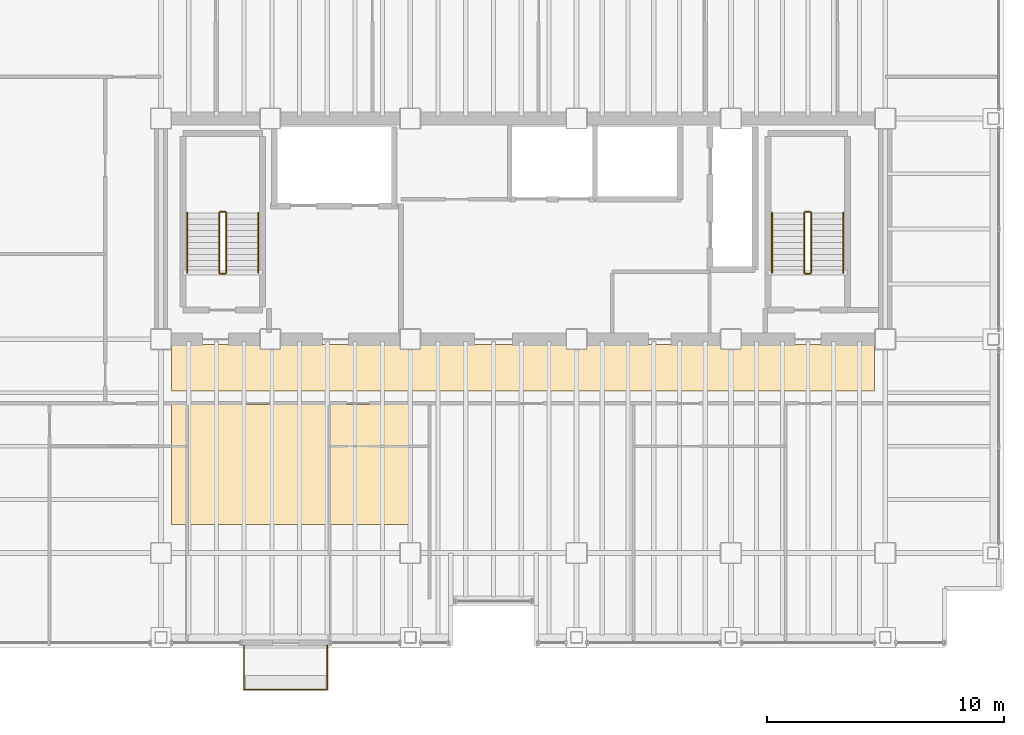
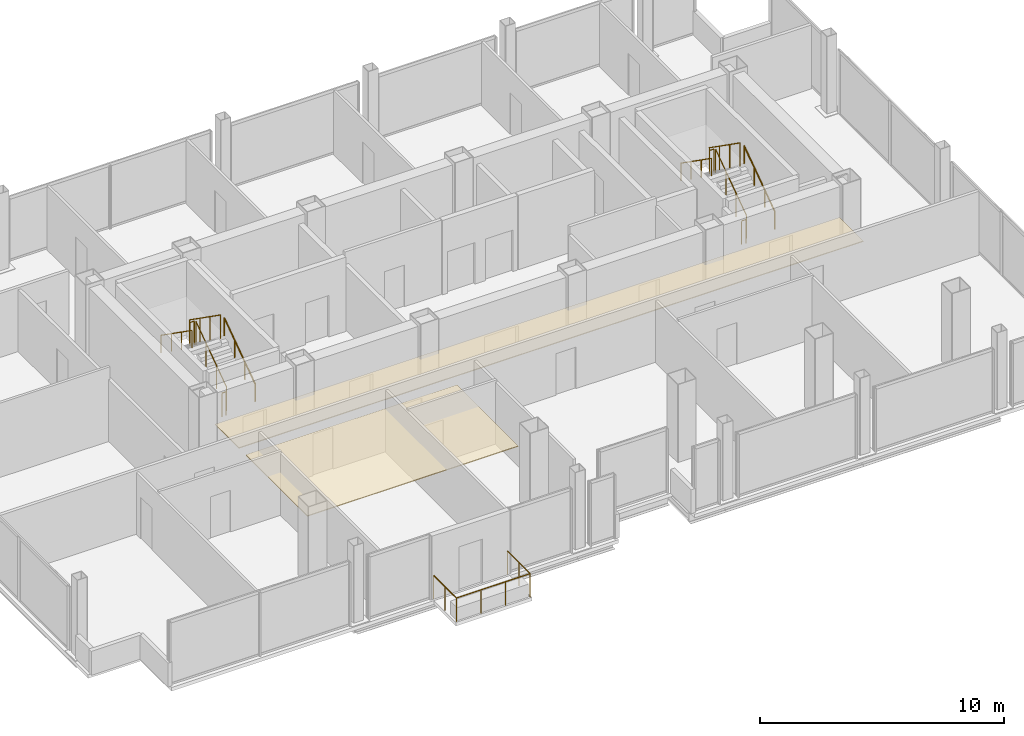
# One storey, part 19 of 19: 13 railings, 2 coverings.
"""IFC4 building model written with IfcOpenShell, lengths in metres."""

from ifc_helpers import new_model, si_unit, direction, frame, origin, origin_2d, place, context, subcontext, project, spatial, polyline, circle, outline, extrude, material, layer, layer_set, type_object, element, save


model = new_model("IFC4")

# Units and contexts
model_context = context("Model", 3, precision=1e-05, world=origin(), true_north=direction((0.0, 1.0)))
body_context = subcontext(model_context, "Body", "Model", "MODEL_VIEW")
ifc_project = project(units=[si_unit("LENGTHUNIT", "METRE"), si_unit("AREAUNIT", "SQUARE_METRE"), si_unit("VOLUMEUNIT", "CUBIC_METRE"), si_unit("PLANEANGLEUNIT", "RADIAN"), si_unit("MASSUNIT", "GRAM", prefix="KILO")], contexts=[model_context])

# Site, building, storey
site_placement = place(None, origin())
site = spatial("IfcSite", under=ifc_project, at=site_placement, CompositionType="ELEMENT")
building_placement = place(site_placement, origin())
building = spatial("IfcBuilding", under=site, at=building_placement, Name="Noeulbin Bourse Tower", CompositionType="ELEMENT")
storey_placement = place(building_placement, frame((0.0, 0.0, 153.89990234375)))
storey = spatial("IfcBuildingStorey", under=building, at=storey_placement, Name="L38", CompositionType="ELEMENT", Elevation=153.89990234375)

# Coverings
ifc_material_1 = material(Name="Perforated Mineral-Fibre Acoustic Tile")
ifc_layer_1 = layer(ifc_material_1, 0.0400390625)
ifc_layer_set_1 = layer_set([ifc_layer_1], Name="Perforated Mineral-Fibre Acoustic Tile")
covering_type = type_object("IfcCoveringType", Name="COV-CEIL-ACT", PredefinedType="CEILING", material=ifc_layer_set_1)
covering_1_placement = place(storey_placement, frame((0.0, 0.0, 2.110107421875)))
element("IfcCovering", 1, at=covering_1_placement, inside=storey, type_object=covering_type, Name="Corridor Suspended Ceiling L38", PredefinedType="CEILING", context=body_context, shape_type="SweptSolid", body=[
    extrude(outline(polyline([(13.949951171875, 26.820068359375), (43.550048828125, 26.820068359375), (43.550048828125, 28.780029296875), (13.949951171875, 28.780029296875), (13.949951171875, 26.820068359375)])), origin(), (0.0, 0.0, 1.0), 0.0400390625),
])
covering_2_placement = place(storey_placement, frame((0.0, 0.0, 2.110107421875)))
element("IfcCovering", 2, at=covering_2_placement, inside=storey, type_object=covering_type, Name="Trading Suite Acoustic Ceiling L38", PredefinedType="CEILING", context=body_context, shape_type="SweptSolid", body=[
    extrude(outline(polyline([(13.949951171875, 21.199951171875), (23.949951171875, 21.199951171875), (23.949951171875, 26.25), (13.949951171875, 26.25), (13.949951171875, 21.199951171875)])), origin(), (0.0, 0.0, 1.0), 0.0400390625),
])

# Railings
ifc_material_2 = material(Name="Laminated SentryGlas and Stainless Steel 316", Category="steel")
ifc_layer_2 = layer(ifc_material_2, 0.06005859375)
ifc_layer_set_2 = layer_set([ifc_layer_2], Name="Laminated SentryGlas and Stainless Steel 316")
railing_type_1 = type_object("IfcRailingType", Name="RLG-BAL-1200", PredefinedType="BALUSTRADE", material=ifc_layer_set_2)
railing_1_placement = place(storey_placement, frame((17.0, 16.1201171875, 0.0)))
element("IfcRailing", 3, at=railing_1_placement, inside=storey, type_object=railing_type_1, Name="Tree-Balcony Glazed Balustrade L38", PredefinedType="BALUSTRADE", context=body_context, shape_type="SweptSolid", body=[
    extrude(circle(Radius=0.02392578125, at=origin_2d()), frame((0.0, 0.0, 1.17578125), z_axis=(0.0, -1.0, 0.0), x_axis=(1.0, 0.0, 0.0)), (0.0, 0.0, 1.0), 1.8701171875),
    extrude(circle(Radius=0.02392578125, at=origin_2d()), frame((0.0, -1.8701171875, 1.17578125), z_axis=(1.0, 0.0, 0.0), x_axis=(0.0, 1.0, 0.0)), (0.0, 0.0, 1.0), 3.5),
    extrude(circle(Radius=0.02392578125, at=origin_2d()), frame((3.5, -1.8701171875, 1.17578125), z_axis=(0.0, 1.0, 0.0), x_axis=(-1.0, 0.0, 0.0)), (0.0, 0.0, 1.0), 1.8701171875),
    extrude(circle(Radius=0.02099609375, at=origin_2d()), origin(), (0.0, 0.0, 1.0), 1.15185546875),
    extrude(circle(Radius=0.02099609375, at=origin_2d()), frame((0.0, -0.93505859375, 0.0)), (0.0, 0.0, 1.0), 1.15185546875),
    extrude(circle(Radius=0.02099609375, at=origin_2d()), frame((0.0, -1.8701171875, 0.0)), (0.0, 0.0, 1.0), 1.15185546875),
    extrude(circle(Radius=0.02099609375, at=origin_2d()), frame((1.166748046875, -1.8701171875, 0.0)), (0.0, 0.0, 1.0), 1.15185546875),
    extrude(circle(Radius=0.02099609375, at=origin_2d()), frame((2.333251953125, -1.8701171875, 0.0)), (0.0, 0.0, 1.0), 1.15185546875),
    extrude(circle(Radius=0.02099609375, at=origin_2d()), frame((3.5, -1.8701171875, 0.0)), (0.0, 0.0, 1.0), 1.15185546875),
    extrude(circle(Radius=0.02099609375, at=origin_2d()), frame((3.5, -0.93505859375, 0.0)), (0.0, 0.0, 1.0), 1.15185546875),
    extrude(circle(Radius=0.02099609375, at=origin_2d()), frame((3.5, 0.0, 0.0)), (0.0, 0.0, 1.0), 1.15185546875),
])
ifc_material_3 = material(Name="Painted Tubular Steel S355", Category="steel")
ifc_layer_3 = layer(ifc_material_3, 0.048095703125)
ifc_layer_set_3 = layer_set([ifc_layer_3], Name="Painted Tubular Steel S355")
railing_type_2 = type_object("IfcRailingType", Name="RLG-STR-GRD", PredefinedType="GUARDRAIL", material=ifc_layer_set_3)
railing_2_placement = place(storey_placement, frame((16.25, 31.81005859375, 0.177490234375)))
element("IfcRailing", 4, at=railing_2_placement, inside=storey, type_object=railing_type_2, Name="L38 ST-1 stair guard 1", PredefinedType="GUARDRAIL", context=body_context, shape_type="SweptSolid", body=[
    extrude(circle(Radius=0.02392578125, at=origin_2d()), frame((0.0, 0.0, 1.17578125), z_axis=(0.0, 0.817904474719, 0.575354039036), x_axis=(-1.0, 0.0, 0.0)), (0.0, 0.0, 1.0), 3.0810546875),
    extrude(circle(Radius=0.02099609375, at=origin_2d()), origin(), (0.0, 0.0, 1.0), 1.15185546875),
    extrude(circle(Radius=0.02099609375, at=origin_2d()), frame((0.0, 0.840087890625, 0.5908203125)), (0.0, 0.0, 1.0), 1.15185546875),
    extrude(circle(Radius=0.02099609375, at=origin_2d()), frame((0.0, 1.679931640625, 1.181884765625)), (0.0, 0.0, 1.0), 1.15185546875),
    extrude(circle(Radius=0.02099609375, at=origin_2d()), frame((0.0, 2.52001953125, 1.772705078125)), (0.0, 0.0, 1.0), 1.15185546875),
])
railing_3_placement = place(storey_placement, frame((16.199951171875, 34.3798828125, 1.9501953125)))
element("IfcRailing", 5, at=railing_3_placement, inside=storey, type_object=railing_type_2, Name="L38 ST-1 stair guard 2", PredefinedType="GUARDRAIL", context=body_context, shape_type="SweptSolid", body=[
    extrude(circle(Radius=0.02392578125, at=origin_2d()), frame((0.0, 0.0, 1.17578125), z_axis=(-1.0, 0.0, 0.0), x_axis=(0.0, -1.0, 0.0)), (0.0, 0.0, 1.0), 0.199951171875),
    extrude(circle(Radius=0.02099609375, at=origin_2d()), origin(), (0.0, 0.0, 1.0), 1.15185546875),
    extrude(circle(Radius=0.02099609375, at=origin_2d()), frame((-0.199951171875, 0.0, 0.0)), (0.0, 0.0, 1.0), 1.15185546875),
])
railing_4_placement = place(storey_placement, frame((15.949951171875, 34.330078125, 2.12744140625)))
element("IfcRailing", 6, at=railing_4_placement, inside=storey, type_object=railing_type_2, Name="L38 ST-1 stair guard 3", PredefinedType="GUARDRAIL", context=body_context, shape_type="SweptSolid", body=[
    extrude(circle(Radius=0.02392578125, at=origin_2d()), frame((0.0, 0.0, 1.17578125), z_axis=(0.0, -0.817904474719, 0.575354039036), x_axis=(1.0, 0.0, 0.0)), (0.0, 0.0, 1.0), 3.0810546875),
    extrude(circle(Radius=0.02099609375, at=origin_2d()), origin(), (0.0, 0.0, 1.0), 1.15185546875),
    extrude(circle(Radius=0.02099609375, at=origin_2d()), frame((0.0, -0.840087890625, 0.5908203125)), (0.0, 0.0, 1.0), 1.15185546875),
    extrude(circle(Radius=0.02099609375, at=origin_2d()), frame((0.0, -1.679931640625, 1.181884765625)), (0.0, 0.0, 1.0), 1.15185546875),
    extrude(circle(Radius=0.02099609375, at=origin_2d()), frame((0.0, -2.52001953125, 1.772705078125)), (0.0, 0.0, 1.0), 1.15185546875),
])
railing_5_placement = place(storey_placement, frame((16.199951171875, 31.760009765625, 0.0)))
element("IfcRailing", 7, at=railing_5_placement, inside=storey, type_object=railing_type_2, Name="L38 ST-1 stair guard 4", PredefinedType="GUARDRAIL", context=body_context, shape_type="SweptSolid", body=[
    extrude(circle(Radius=0.02392578125, at=origin_2d()), frame((0.0, 0.0, 1.17578125), z_axis=(-1.0, 0.0, 0.0), x_axis=(0.0, -1.0, 0.0)), (0.0, 0.0, 1.0), 0.199951171875),
    extrude(circle(Radius=0.02099609375, at=origin_2d()), origin(), (0.0, 0.0, 1.0), 1.15185546875),
    extrude(circle(Radius=0.02099609375, at=origin_2d()), frame((-0.199951171875, 0.0, 0.0)), (0.0, 0.0, 1.0), 1.15185546875),
])
railing_6_placement = place(storey_placement, frame((40.8798828125, 31.81005859375, 0.177490234375)))
element("IfcRailing", 8, at=railing_6_placement, inside=storey, type_object=railing_type_2, Name="L38 ST-2 stair guard 1", PredefinedType="GUARDRAIL", context=body_context, shape_type="SweptSolid", body=[
    extrude(circle(Radius=0.02392578125, at=origin_2d()), frame((0.0, 0.0, 1.17578125), z_axis=(0.0, 0.817904474719, 0.575354039036), x_axis=(-1.0, 0.0, 0.0)), (0.0, 0.0, 1.0), 3.0810546875),
    extrude(circle(Radius=0.02099609375, at=origin_2d()), origin(), (0.0, 0.0, 1.0), 1.15185546875),
    extrude(circle(Radius=0.02099609375, at=origin_2d()), frame((0.0, 0.840087890625, 0.5908203125)), (0.0, 0.0, 1.0), 1.15185546875),
    extrude(circle(Radius=0.02099609375, at=origin_2d()), frame((0.0, 1.679931640625, 1.181884765625)), (0.0, 0.0, 1.0), 1.15185546875),
    extrude(circle(Radius=0.02099609375, at=origin_2d()), frame((0.0, 2.52001953125, 1.772705078125)), (0.0, 0.0, 1.0), 1.15185546875),
])
railing_7_placement = place(storey_placement, frame((40.830078125, 34.3798828125, 1.9501953125)))
element("IfcRailing", 9, at=railing_7_placement, inside=storey, type_object=railing_type_2, Name="L38 ST-2 stair guard 2", PredefinedType="GUARDRAIL", context=body_context, shape_type="SweptSolid", body=[
    extrude(circle(Radius=0.02392578125, at=origin_2d()), frame((0.0, 0.0, 1.17578125), z_axis=(-1.0, 0.0, 0.0), x_axis=(0.0, -1.0, 0.0)), (0.0, 0.0, 1.0), 0.2001953125),
    extrude(circle(Radius=0.02099609375, at=origin_2d()), origin(), (0.0, 0.0, 1.0), 1.15185546875),
    extrude(circle(Radius=0.02099609375, at=origin_2d()), frame((-0.2001953125, 0.0, 0.0)), (0.0, 0.0, 1.0), 1.15185546875),
])
railing_8_placement = place(storey_placement, frame((40.580078125, 34.330078125, 2.12744140625)))
element("IfcRailing", 10, at=railing_8_placement, inside=storey, type_object=railing_type_2, Name="L38 ST-2 stair guard 3", PredefinedType="GUARDRAIL", context=body_context, shape_type="SweptSolid", body=[
    extrude(circle(Radius=0.02392578125, at=origin_2d()), frame((0.0, 0.0, 1.17578125), z_axis=(0.0, -0.817904474719, 0.575354039036), x_axis=(1.0, 0.0, 0.0)), (0.0, 0.0, 1.0), 3.0810546875),
    extrude(circle(Radius=0.02099609375, at=origin_2d()), origin(), (0.0, 0.0, 1.0), 1.15185546875),
    extrude(circle(Radius=0.02099609375, at=origin_2d()), frame((0.0, -0.840087890625, 0.5908203125)), (0.0, 0.0, 1.0), 1.15185546875),
    extrude(circle(Radius=0.02099609375, at=origin_2d()), frame((0.0, -1.679931640625, 1.181884765625)), (0.0, 0.0, 1.0), 1.15185546875),
    extrude(circle(Radius=0.02099609375, at=origin_2d()), frame((0.0, -2.52001953125, 1.772705078125)), (0.0, 0.0, 1.0), 1.15185546875),
])
railing_9_placement = place(storey_placement, frame((40.830078125, 31.760009765625, 0.0)))
element("IfcRailing", 11, at=railing_9_placement, inside=storey, type_object=railing_type_2, Name="L38 ST-2 stair guard 4", PredefinedType="GUARDRAIL", context=body_context, shape_type="SweptSolid", body=[
    extrude(circle(Radius=0.02392578125, at=origin_2d()), frame((0.0, 0.0, 1.17578125), z_axis=(-1.0, 0.0, 0.0), x_axis=(0.0, -1.0, 0.0)), (0.0, 0.0, 1.0), 0.2001953125),
    extrude(circle(Radius=0.02099609375, at=origin_2d()), origin(), (0.0, 0.0, 1.0), 1.15185546875),
    extrude(circle(Radius=0.02099609375, at=origin_2d()), frame((-0.2001953125, 0.0, 0.0)), (0.0, 0.0, 1.0), 1.15185546875),
])
ifc_material_4 = material(Name="Brushed Stainless Steel 316", Category="steel")
ifc_layer_4 = layer(ifc_material_4, 0.048095703125)
ifc_layer_set_4 = layer_set([ifc_layer_4], Name="Brushed Stainless Steel 316")
railing_type_3 = type_object("IfcRailingType", Name="RLG-STR-HND", PredefinedType="HANDRAIL", material=ifc_layer_set_4)
railing_10_placement = place(storey_placement, frame((17.60009765625, 31.81005859375, 0.177490234375)))
element("IfcRailing", 12, at=railing_10_placement, inside=storey, type_object=railing_type_3, Name="L38 ST-1 stair handrail 1", PredefinedType="HANDRAIL", context=body_context, shape_type="SweptSolid", body=[
    extrude(circle(Radius=0.02392578125, at=origin_2d()), frame((0.0, 0.0, 0.8759765625), z_axis=(0.0, 0.817904474719, 0.575354039036), x_axis=(-1.0, 0.0, 0.0)), (0.0, 0.0, 1.0), 3.0810546875),
    extrude(circle(Radius=0.02099609375, at=origin_2d()), origin(), (0.0, 0.0, 1.0), 0.851806640625),
    extrude(circle(Radius=0.02099609375, at=origin_2d()), frame((0.0, 0.840087890625, 0.5908203125)), (0.0, 0.0, 1.0), 0.851806640625),
    extrude(circle(Radius=0.02099609375, at=origin_2d()), frame((0.0, 1.679931640625, 1.181884765625)), (0.0, 0.0, 1.0), 0.851806640625),
    extrude(circle(Radius=0.02099609375, at=origin_2d()), frame((0.0, 2.52001953125, 1.772705078125)), (0.0, 0.0, 1.0), 0.851806640625),
])
railing_11_placement = place(storey_placement, frame((14.60009765625, 34.330078125, 2.12744140625)))
element("IfcRailing", 13, at=railing_11_placement, inside=storey, type_object=railing_type_3, Name="L38 ST-1 stair handrail 2", PredefinedType="HANDRAIL", context=body_context, shape_type="SweptSolid", body=[
    extrude(circle(Radius=0.02392578125, at=origin_2d()), frame((0.0, 0.0, 0.8759765625), z_axis=(0.0, -0.817904474719, 0.575354039036), x_axis=(1.0, 0.0, 0.0)), (0.0, 0.0, 1.0), 3.0810546875),
    extrude(circle(Radius=0.02099609375, at=origin_2d()), origin(), (0.0, 0.0, 1.0), 0.851806640625),
    extrude(circle(Radius=0.02099609375, at=origin_2d()), frame((0.0, -0.840087890625, 0.5908203125)), (0.0, 0.0, 1.0), 0.851806640625),
    extrude(circle(Radius=0.02099609375, at=origin_2d()), frame((0.0, -1.679931640625, 1.181884765625)), (0.0, 0.0, 1.0), 0.851806640625),
    extrude(circle(Radius=0.02099609375, at=origin_2d()), frame((0.0, -2.52001953125, 1.772705078125)), (0.0, 0.0, 1.0), 0.851806640625),
])
railing_12_placement = place(storey_placement, frame((42.22998046875, 31.81005859375, 0.177490234375)))
element("IfcRailing", 14, at=railing_12_placement, inside=storey, type_object=railing_type_3, Name="L38 ST-2 stair handrail 1", PredefinedType="HANDRAIL", context=body_context, shape_type="SweptSolid", body=[
    extrude(circle(Radius=0.02392578125, at=origin_2d()), frame((0.0, 0.0, 0.8759765625), z_axis=(0.0, 0.817904474719, 0.575354039036), x_axis=(-1.0, 0.0, 0.0)), (0.0, 0.0, 1.0), 3.0810546875),
    extrude(circle(Radius=0.02099609375, at=origin_2d()), origin(), (0.0, 0.0, 1.0), 0.851806640625),
    extrude(circle(Radius=0.02099609375, at=origin_2d()), frame((0.0, 0.840087890625, 0.5908203125)), (0.0, 0.0, 1.0), 0.851806640625),
    extrude(circle(Radius=0.02099609375, at=origin_2d()), frame((0.0, 1.679931640625, 1.181884765625)), (0.0, 0.0, 1.0), 0.851806640625),
    extrude(circle(Radius=0.02099609375, at=origin_2d()), frame((0.0, 2.52001953125, 1.772705078125)), (0.0, 0.0, 1.0), 0.851806640625),
])
railing_13_placement = place(storey_placement, frame((39.22998046875, 34.330078125, 2.12744140625)))
element("IfcRailing", 15, at=railing_13_placement, inside=storey, type_object=railing_type_3, Name="L38 ST-2 stair handrail 2", PredefinedType="HANDRAIL", context=body_context, shape_type="SweptSolid", body=[
    extrude(circle(Radius=0.02392578125, at=origin_2d()), frame((0.0, 0.0, 0.8759765625), z_axis=(0.0, -0.817904474719, 0.575354039036), x_axis=(1.0, 0.0, 0.0)), (0.0, 0.0, 1.0), 3.0810546875),
    extrude(circle(Radius=0.02099609375, at=origin_2d()), origin(), (0.0, 0.0, 1.0), 0.851806640625),
    extrude(circle(Radius=0.02099609375, at=origin_2d()), frame((0.0, -0.840087890625, 0.5908203125)), (0.0, 0.0, 1.0), 0.851806640625),
    extrude(circle(Radius=0.02099609375, at=origin_2d()), frame((0.0, -1.679931640625, 1.181884765625)), (0.0, 0.0, 1.0), 0.851806640625),
    extrude(circle(Radius=0.02099609375, at=origin_2d()), frame((0.0, -2.52001953125, 1.772705078125)), (0.0, 0.0, 1.0), 0.851806640625),
])

save(model, "model.ifc")
